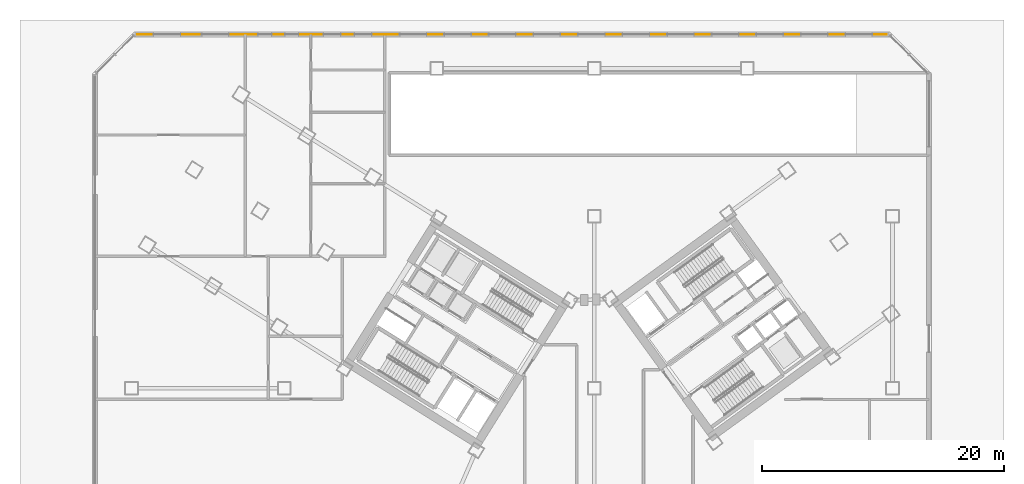
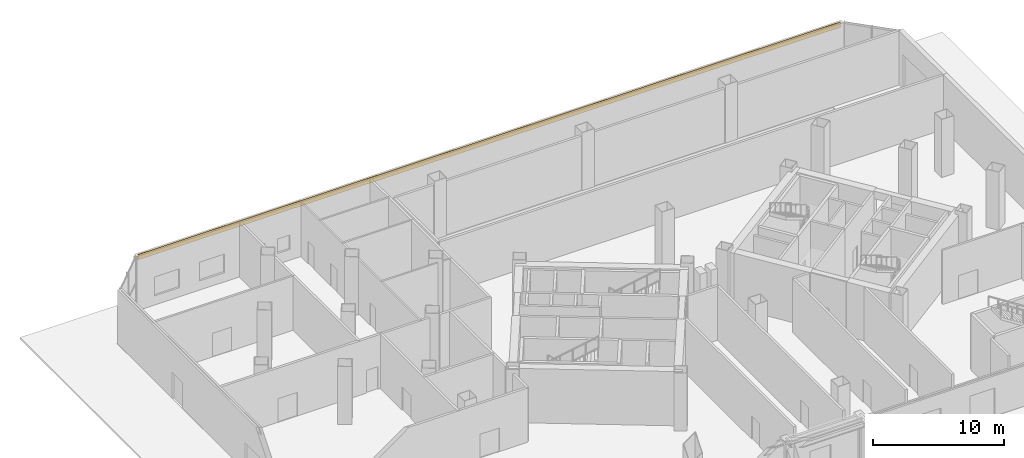
# One storey, part 21 of 22: 1 covering.
"""IFC4 building model written with IfcOpenShell, lengths in metres."""

from ifc_helpers import new_model, si_unit, direction, frame, origin, origin_2d, place, context, subcontext, project, spatial, rectangle, extrude, source, transform, mapped, material, layer, layer_set, type_object, element, save


model = new_model("IFC4")

# Units and contexts
model_context = context("Model", 3, precision=1e-05, world=origin(), true_north=direction((0.0, 1.0)))
body_context = subcontext(model_context, "Body", "Model", "MODEL_VIEW")
ifc_project = project(units=[si_unit("LENGTHUNIT", "METRE"), si_unit("AREAUNIT", "SQUARE_METRE"), si_unit("VOLUMEUNIT", "CUBIC_METRE"), si_unit("PLANEANGLEUNIT", "RADIAN"), si_unit("MASSUNIT", "GRAM", prefix="KILO")], contexts=[model_context])

# Site, building, storey
site_placement = place(None, origin())
site = spatial("IfcSite", under=ifc_project, at=site_placement, CompositionType="ELEMENT")
building_placement = place(site_placement, origin())
building = spatial("IfcBuilding", under=site, at=building_placement, Name="Tlacorven Tower", CompositionType="ELEMENT")
storey_placement = place(building_placement, origin())
storey = spatial("IfcBuildingStorey", under=building, at=storey_placement, Name="L00", CompositionType="ELEMENT", Elevation=0.0)

# Covering
ifc_material = material(Name="Precast concrete C45/55", Category="concrete")
ifc_layer = layer(ifc_material, 0.06005859375)
ifc_layer_set = layer_set([ifc_layer], Name="Precast concrete C45/55")
covering_type = type_object("IfcCoveringType", Name="CV-CLD-TERC", PredefinedType="CLADDING", material=ifc_layer_set)
shared_shape = source(origin(), body_context, "Body", "SweptSolid", [
    extrude(rectangle(XDim=61.834228515625, YDim=0.06005859375, at=origin_2d()), origin(), (0.0, 0.0, 1.0), 0.47998046875),
])
covering_placement = place(storey_placement, frame((36.0, 46.39990234375, 4.570068359375), z_axis=(0.0, 0.0, 1.0), x_axis=(1.0, 0.0, 0.0)))
element("IfcCovering", 1, at=covering_placement, inside=storey, type_object=covering_type, Name="L00 Expressed Terracotta Masonry Spandrel Band 4", PredefinedType="CLADDING", context=body_context, shape_type="MappedRepresentation", body=[
    mapped(shared_shape, transform((0.0, 0.0, 0.0), scale=1.0)),
])

save(model, "model.ifc")
